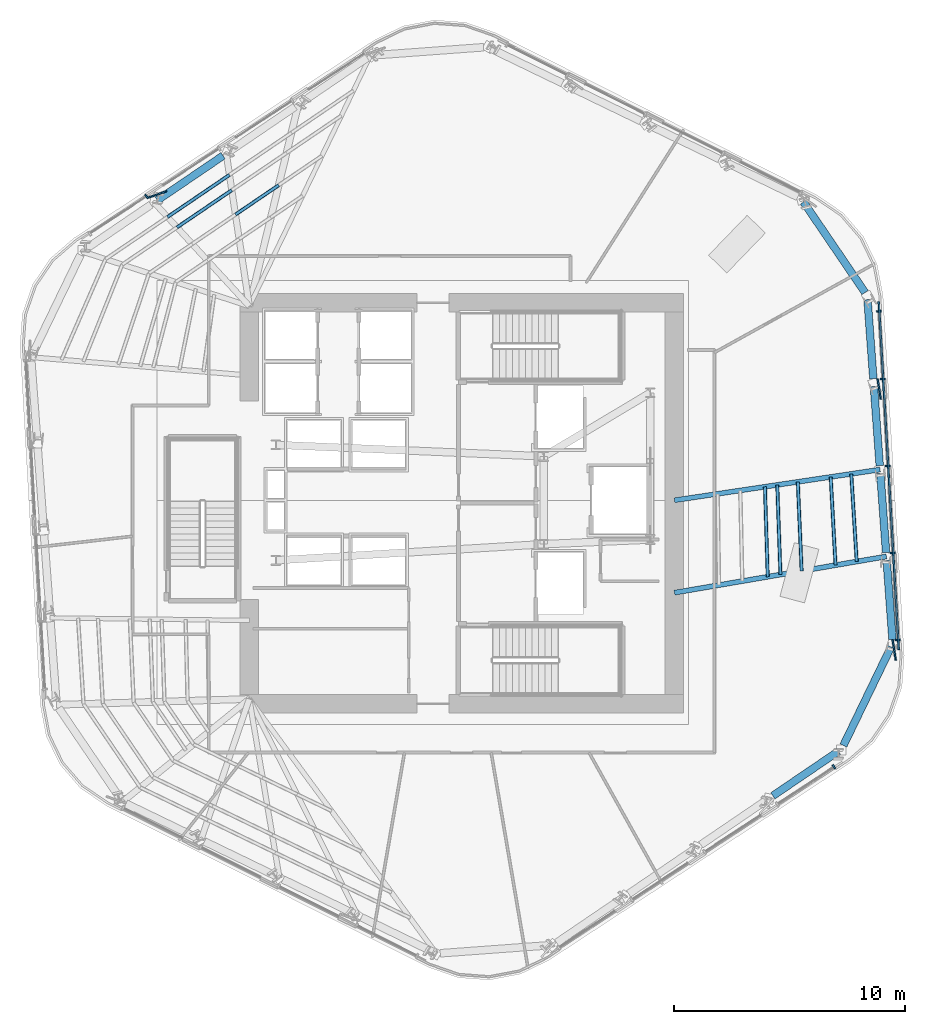
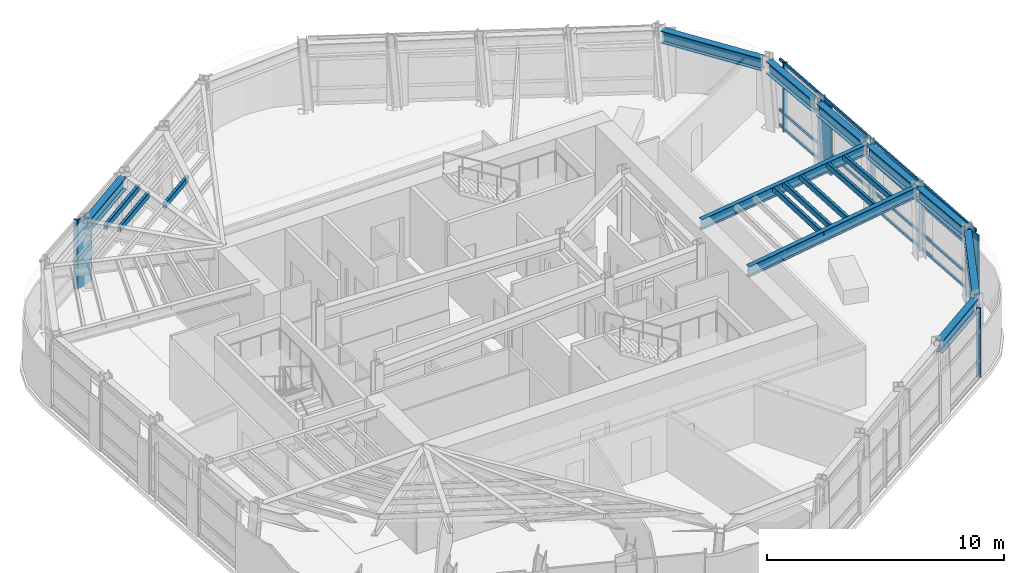
# One storey, part 5 of 15: 22 members, 10 beams, 3 elements without a shape of their own.
"""IFC4 building model written with IfcOpenShell, lengths in metres."""

from ifc_helpers import new_model, si_unit, direction, frame, origin, origin_2d, place, context, subcontext, project, spatial, rectangle, hollow_rectangle, i_section, extrude, material, layer, layer_set, material_profile, profile_set, type_object, element, aggregate, save


model = new_model("IFC4")

# Units and contexts
model_context = context("Model", 3, precision=1e-05, world=origin(), true_north=direction((0.0, 1.0)))
body_context = subcontext(model_context, "Body", "Model", "MODEL_VIEW")
ifc_project = project(units=[si_unit("LENGTHUNIT", "METRE"), si_unit("AREAUNIT", "SQUARE_METRE"), si_unit("VOLUMEUNIT", "CUBIC_METRE"), si_unit("PLANEANGLEUNIT", "RADIAN"), si_unit("MASSUNIT", "GRAM", prefix="KILO")], contexts=[model_context])

# Site, building, storey
site_placement = place(None, origin())
site = spatial("IfcSite", under=ifc_project, at=site_placement, CompositionType="ELEMENT")
building_placement = place(site_placement, origin())
building = spatial("IfcBuilding", under=site, at=building_placement, Name="Valkerne Bourse Tower", CompositionType="ELEMENT")
storey_placement = place(building_placement, frame((0.0, 0.0, 166.60009765625)))
storey = spatial("IfcBuildingStorey", under=building, at=storey_placement, Name="L42", CompositionType="ELEMENT", Elevation=166.60009765625)

# Beams
ifc_material_1 = material(Name="Steel ASTM A992", Category="steel")
ifc_material_profile_1 = material_profile(ifc_material_1, i_section(OverallWidth=0.209228515625, OverallDepth=0.533447265625, WebThickness=0.01025390625, FlangeThickness=0.015625, FilletRadius=0.017822265625, at=origin_2d()), Name="W21X62")
ifc_profile_set_1 = profile_set([ifc_material_profile_1], Name="Steel ASTM A992")
beam_type_1 = type_object("IfcBeamType", Name="BM-W21X62", PredefinedType="JOIST", material=ifc_profile_set_1)
beam_1_placement = place(storey_placement, frame((64.89453125, 28.328857421875, 3.313232421875), z_axis=(-0.989023001107, -0.147761643473, 0.0), x_axis=(0.147761643473, -0.989023001107, 0.0)))
element("IfcBeam", 1, at=beam_1_placement, inside=storey, type_object=beam_type_1, Name="L42 Radial Composite Floor Beam 27", PredefinedType="JOIST", context=body_context, shape_type="SweptSolid", body=[
    extrude(i_section(OverallWidth=0.209228515625, OverallDepth=0.533447265625, WebThickness=0.01025390625, FlangeThickness=0.015625, FilletRadius=0.017822265625, at=origin_2d()), origin(), (0.0, 0.0, 1.0), 8.9931640625),
])
ifc_material_profile_2 = material_profile(ifc_material_1, i_section(OverallWidth=0.2138671875, OverallDepth=0.548583984375, WebThickness=0.0146484375, FlangeThickness=0.023681640625, FilletRadius=0.017822265625, at=origin_2d()), Name="W21X93")
ifc_profile_set_2 = profile_set([ifc_material_profile_2], Name="Steel ASTM A992")
beam_type_2 = type_object("IfcBeamType", Name="BM-W21X93", PredefinedType="BEAM", material=ifc_profile_set_2)
beam_2_placement = place(storey_placement, frame((65.170654296875, 24.56787109375, 3.3056640625), z_axis=(-0.985698069595, -0.168520964857, 0.0), x_axis=(0.168520964857, -0.985698069595, 0.0)))
element("IfcBeam", 2, at=beam_2_placement, inside=storey, type_object=beam_type_2, Name="L42 Radial Composite Floor Beam 26", PredefinedType="BEAM", context=body_context, shape_type="SweptSolid", body=[
    extrude(i_section(OverallWidth=0.2138671875, OverallDepth=0.548583984375, WebThickness=0.0146484375, FlangeThickness=0.023681640625, FilletRadius=0.017822265625, at=origin_2d()), origin(), (0.0, 0.0, 1.0), 9.3037109375),
])
ifc_material_profile_3 = material_profile(ifc_material_1, i_section(OverallWidth=0.32763671875, OverallDepth=0.62744140625, WebThickness=0.0166015625, FlangeThickness=0.027587890625, FilletRadius=0.020263671875, at=origin_2d()), Name="W24X146")
ifc_profile_set_3 = profile_set([ifc_material_profile_3], Name="Steel ASTM A992")
beam_type_3 = type_object("IfcBeamType", Name="BM-W24X146", PredefinedType="SPANDREL", material=ifc_profile_set_3)
for number, where, z_axis, x_axis, name in (
    (3, (36.46142578125, 41.910400390625, 3.26611328125), (-0.827080000097, -0.562084222728, 0.0), (0.562084222728, -0.827080000097, 0.0), "L42 Hexagonal Spandrel Ring Beam 07"),
    (4, (60.257568359375, 14.209228515625, 3.26611328125), (0.827080000097, 0.562084222728, 0.0), (-0.562084222728, 0.827080000097, 0.0), "L42 Hexagonal Spandrel Ring Beam 23"),
):
    element("IfcBeam", number, at=place(storey_placement, frame(where, z_axis=z_axis, x_axis=x_axis)), inside=storey, type_object=beam_type_3, Name=name, PredefinedType="SPANDREL", context=body_context, shape_type="SweptSolid", body=[
        extrude(i_section(OverallWidth=0.32763671875, OverallDepth=0.62744140625, WebThickness=0.0166015625, FlangeThickness=0.027587890625, FilletRadius=0.020263671875, at=origin_2d()), origin(), (0.0, 0.0, 1.0), 3.430908203125),
    ])
beam_3_placement = place(storey_placement, frame((63.309814453125, 16.386474609375, 3.26611328125), z_axis=(0.435244512137, 0.900312287295, 0.0), x_axis=(-0.900312287295, 0.435244512137, 0.0)))
element("IfcBeam", 5, at=beam_3_placement, inside=storey, type_object=beam_type_3, Name="L42 Hexagonal Spandrel Ring Beam 24", PredefinedType="SPANDREL", context=body_context, shape_type="SweptSolid", body=[
    extrude(i_section(OverallWidth=0.32763671875, OverallDepth=0.62744140625, WebThickness=0.0166015625, FlangeThickness=0.027587890625, FilletRadius=0.020263671875, at=origin_2d()), origin(), (0.0, 0.0, 1.0), 4.73974609375),
])
for number, where, z_axis, x_axis, name in (
    (6, (65.434326171875, 20.9765625, 3.26611328125), (-0.07321903857, 0.997315883956, 0.0), (-0.997315883956, -0.07321903857, 0.0), "L42 Hexagonal Spandrel Ring Beam 25"),
    (7, (65.158203125, 24.7373046875, 3.26611328125), (-0.07321903857, 0.997315883956, 0.0), (-0.997315883956, -0.07321903857, 0.0), "L42 Hexagonal Spandrel Ring Beam 26"),
    (8, (64.882080078125, 28.498291015625, 3.26611328125), (-0.07321903857, 0.997315883956, 0.0), (-0.997315883956, -0.07321903857, 0.0), "L42 Hexagonal Spandrel Ring Beam 27"),
):
    element("IfcBeam", number, at=place(storey_placement, frame(where, z_axis=z_axis, x_axis=x_axis)), inside=storey, type_object=beam_type_3, Name=name, PredefinedType="SPANDREL", context=body_context, shape_type="SweptSolid", body=[
        extrude(i_section(OverallWidth=0.32763671875, OverallDepth=0.62744140625, WebThickness=0.0166015625, FlangeThickness=0.027587890625, FilletRadius=0.020263671875, at=origin_2d()), origin(), (0.0, 0.0, 1.0), 3.43115234375),
    ])
beam_4_placement = place(storey_placement, frame((64.605712890625, 32.25927734375, 3.26611328125), z_axis=(-0.073224234893, 0.997315502449, 0.0), x_axis=(-0.997315502449, -0.073224234893, 0.0)))
element("IfcBeam", 9, at=beam_4_placement, inside=storey, type_object=beam_type_3, Name="L42 Hexagonal Spandrel Ring Beam 28", PredefinedType="SPANDREL", context=body_context, shape_type="SweptSolid", body=[
    extrude(i_section(OverallWidth=0.32763671875, OverallDepth=0.62744140625, WebThickness=0.0166015625, FlangeThickness=0.027587890625, FilletRadius=0.020263671875, at=origin_2d()), origin(), (0.0, 0.0, 1.0), 3.430908203125),
])
beam_5_placement = place(storey_placement, frame((64.24658203125, 35.9912109375, 3.26611328125), z_axis=(-0.562083182981, 0.827080706709, 0.0), x_axis=(-0.827080706709, -0.562083182981, 0.0)))
element("IfcBeam", 10, at=beam_5_placement, inside=storey, type_object=beam_type_3, Name="L42 Hexagonal Spandrel Ring Beam 29", PredefinedType="SPANDREL", context=body_context, shape_type="SweptSolid", body=[
    extrude(i_section(OverallWidth=0.32763671875, OverallDepth=0.62744140625, WebThickness=0.0166015625, FlangeThickness=0.027587890625, FilletRadius=0.020263671875, at=origin_2d()), origin(), (0.0, 0.0, 1.0), 4.739990234375),
])

# Curtain wall, member
ifc_material_2 = material(Name="Aluminium AA 6063-T6", Category="aluminium")
ifc_layer = layer(ifc_material_2, 0.235107421875)
ifc_layer_set = layer_set([ifc_layer], Name="Aluminium AA 6063-T6")
curtain_wall_type = type_object("IfcCurtainWallType", Name="CW-03", PredefinedType="NOTDEFINED", material=ifc_layer_set)
curtain_wall_1_placement = place(storey_placement, origin())
curtain_wall_1 = element("IfcCurtainWall", 11, at=curtain_wall_1_placement, inside=storey, type_object=curtain_wall_type, Name="L42 Hexagonal Stick Curtain Wall Face 2", PredefinedType="NOTDEFINED")
ifc_material_profile_4 = material_profile(ifc_material_2, rectangle(XDim=0.074951171875, YDim=0.199951171875, at=origin_2d()), Name="CWM-75X200")
ifc_profile_set_4 = profile_set([ifc_material_profile_4], Name="Aluminium AA 6063-T6")
member_type_1 = type_object("IfcMemberType", Name="CW-MUL-220X75", PredefinedType="MULLION", material=ifc_profile_set_4)
member_1_placement = place(storey_placement, frame((33.1494140625, 40.1474609375, 0.0), z_axis=(0.0, 0.0, 1.0), x_axis=(-0.835800745182, -0.549032890048, 0.0)))
member_1 = element("IfcMember", 12, at=member_1_placement, type_object=member_type_1, Name="CW-L42-F2 Jamb Mullion 03A", PredefinedType="MULLION", context=body_context, shape_type="SweptSolid", body=[
    extrude(rectangle(XDim=0.074951171875, YDim=0.199951171875, at=origin_2d()), origin(), (0.0, 0.0, 1.0), 3.579833984375),
])
aggregate(curtain_wall_1, [member_1])

curtain_wall_2_placement = place(storey_placement, origin())
curtain_wall_2 = element("IfcCurtainWall", 13, at=curtain_wall_2_placement, inside=storey, type_object=curtain_wall_type, Name="L42 Hexagonal Stick Curtain Wall Face 5", PredefinedType="NOTDEFINED")
member_2_placement = place(storey_placement, frame((62.900390625, 15.461669921875, 0.0), z_axis=(0.0, 0.0, 1.0), x_axis=(0.835800745182, 0.549032890048, 0.0)))
member_2 = element("IfcMember", 14, at=member_2_placement, type_object=member_type_1, Name="CW-L42-F5 Jamb Mullion 03B", PredefinedType="MULLION", context=body_context, shape_type="SweptSolid", body=[
    extrude(rectangle(XDim=0.074951171875, YDim=0.199951171875, at=origin_2d()), origin(), (0.0, 0.0, 1.0), 3.579833984375),
])
aggregate(curtain_wall_2, [member_2])

# Curtain wall, members
curtain_wall_3_placement = place(storey_placement, origin())
curtain_wall_3 = element("IfcCurtainWall", 15, at=curtain_wall_3_placement, inside=storey, type_object=curtain_wall_type, Name="L42 Hexagonal Stick Curtain Wall Face 6", PredefinedType="NOTDEFINED")
member_3_placement = place(storey_placement, frame((65.66259765625, 20.953857421875, 0.0), z_axis=(0.0, 0.0, 1.0), x_axis=(-0.057570105269, 0.998341466122, 0.0)))
member_3 = element("IfcMember", 16, at=member_3_placement, type_object=member_type_1, Name="CW-L42-F6 Jamb Mullion 00A", PredefinedType="MULLION", context=body_context, shape_type="SweptSolid", body=[
    extrude(rectangle(XDim=0.074951171875, YDim=0.199951171875, at=origin_2d()), origin(), (0.0, 0.0, 1.0), 3.579833984375),
])
member_4_placement = place(storey_placement, frame((65.445556640625, 24.718505859375, 0.0), z_axis=(0.0, 0.0, 1.0), x_axis=(-0.057571629412, 0.99834137823, 0.0)))
member_4 = element("IfcMember", 17, at=member_4_placement, type_object=member_type_1, Name="CW-L42-F6 Jamb Mullion 01A", PredefinedType="MULLION", context=body_context, shape_type="SweptSolid", body=[
    extrude(rectangle(XDim=0.074951171875, YDim=0.199951171875, at=origin_2d()), origin(), (0.0, 0.0, 1.0), 3.579833984375),
])
member_5_placement = place(storey_placement, frame((65.228515625, 28.4833984375, 0.0), z_axis=(0.0, 0.0, 1.0), x_axis=(-0.057545198752, 0.998342902063, 0.0)))
member_5 = element("IfcMember", 18, at=member_5_placement, type_object=member_type_1, Name="CW-L42-F6 Jamb Mullion 02A", PredefinedType="MULLION", context=body_context, shape_type="SweptSolid", body=[
    extrude(rectangle(XDim=0.074951171875, YDim=0.199951171875, at=origin_2d()), origin(), (0.0, 0.0, 1.0), 3.579833984375),
])
member_6_placement = place(storey_placement, frame((65.011474609375, 32.248046875, 0.0), z_axis=(0.0, 0.0, 1.0), x_axis=(-0.057570105269, 0.998341466122, 0.0)))
member_6 = element("IfcMember", 19, at=member_6_placement, type_object=member_type_1, Name="CW-L42-F6 Jamb Mullion 03A", PredefinedType="MULLION", context=body_context, shape_type="SweptSolid", body=[
    extrude(rectangle(XDim=0.074951171875, YDim=0.199951171875, at=origin_2d()), origin(), (0.0, 0.0, 1.0), 3.579833984375),
])
member_7_placement = place(storey_placement, frame((64.842529296875, 35.17431640625, 0.0), z_axis=(0.0, 0.0, 1.0), x_axis=(-0.057570105269, 0.998341466122, 0.0)))
member_7 = element("IfcMember", 20, at=member_7_placement, type_object=member_type_1, Name="CW-L42-F6 Jamb Mullion 03B", PredefinedType="MULLION", context=body_context, shape_type="SweptSolid", body=[
    extrude(rectangle(XDim=0.074951171875, YDim=0.199951171875, at=origin_2d()), origin(), (0.0, 0.0, 1.0), 3.579833984375),
])
ifc_material_profile_5 = material_profile(ifc_material_2, rectangle(XDim=0.074951171875, YDim=0.14990234375, at=origin_2d()), Name="CWT-75X150")
ifc_profile_set_5 = profile_set([ifc_material_profile_5], Name="Aluminium AA 6063-T6")
member_type_2 = type_object("IfcMemberType", Name="CW-TRN-180X65", PredefinedType="USERDEFINED", material=ifc_profile_set_5)
member_8_placement = place(storey_placement, frame((65.706787109375, 20.53564453125, 0.119873046875), z_axis=(-0.057572027055, 0.998341355299, 0.0), x_axis=(-0.998341355299, -0.057572027055, 0.0)))
member_8 = element("IfcMember", 21, at=member_8_placement, type_object=member_type_2, Name="CW-L42-F6 Continuous Face Transom 1", ObjectType="TRANSOM", PredefinedType="USERDEFINED", context=body_context, shape_type="SweptSolid", body=[
    extrude(rectangle(XDim=0.074951171875, YDim=0.14990234375, at=origin_2d()), origin(), (0.0, 0.0, 1.0), 15.083740234375),
])
member_9_placement = place(storey_placement, frame((65.706787109375, 20.53564453125, 0.89990234375), z_axis=(-0.057572027055, 0.998341355299, 0.0), x_axis=(-0.998341355299, -0.057572027055, 0.0)))
member_9 = element("IfcMember", 22, at=member_9_placement, type_object=member_type_2, Name="CW-L42-F6 Continuous Face Transom 2", ObjectType="TRANSOM", PredefinedType="USERDEFINED", context=body_context, shape_type="SweptSolid", body=[
    extrude(rectangle(XDim=0.074951171875, YDim=0.14990234375, at=origin_2d()), origin(), (0.0, 0.0, 1.0), 15.083740234375),
])
member_10_placement = place(storey_placement, frame((65.706787109375, 20.53564453125, 2.39990234375), z_axis=(-0.057572027055, 0.998341355299, 0.0), x_axis=(-0.998341355299, -0.057572027055, 0.0)))
member_10 = element("IfcMember", 23, at=member_10_placement, type_object=member_type_2, Name="CW-L42-F6 Continuous Face Transom 3", ObjectType="TRANSOM", PredefinedType="USERDEFINED", context=body_context, shape_type="SweptSolid", body=[
    extrude(rectangle(XDim=0.074951171875, YDim=0.14990234375, at=origin_2d()), origin(), (0.0, 0.0, 1.0), 15.083740234375),
])
member_11_placement = place(storey_placement, frame((65.706787109375, 20.53564453125, 3.5), z_axis=(-0.057572027055, 0.998341355299, 0.0), x_axis=(-0.998341355299, -0.057572027055, 0.0)))
member_11 = element("IfcMember", 24, at=member_11_placement, type_object=member_type_2, Name="CW-L42-F6 Continuous Face Transom 4", ObjectType="TRANSOM", PredefinedType="USERDEFINED", context=body_context, shape_type="SweptSolid", body=[
    extrude(rectangle(XDim=0.074951171875, YDim=0.14990234375, at=origin_2d()), origin(), (0.0, 0.0, 1.0), 15.083740234375),
])
aggregate(curtain_wall_3, [member_8, member_9, member_10, member_11, member_3, member_4, member_5, member_6, member_7])

# Members
ifc_material_3 = material(Name="Bronze Anodised Aluminium AA 6063-T6", Category="aluminium")
ifc_material_profile_6 = material_profile(ifc_material_3, rectangle(XDim=0.070068359375, YDim=0.89990234375, at=origin_2d()), Name="FIN-70X900")
ifc_profile_set_6 = profile_set([ifc_material_profile_6], Name="Bronze Anodised Aluminium AA 6063-T6")
member_type_3 = type_object("IfcMemberType", Name="FIN-SOLAR-900", PredefinedType="USERDEFINED", material=ifc_profile_set_6)
for number, where, z_axis, x_axis, name in (
    (25, (33.599365234375, 40.2275390625, 0.00390625), (0.0, 0.0, 1.0), (-0.331918393449, 0.94330810454, 0.0), "L42 Bronze Anodised Solar Fin F2-03"),
    (26, (65.507080078125, 20.524169921875, 0.00390625), (0.0, 0.0, 1.0), (0.987885388891, 0.155185239037, 0.0), "L42 Bronze Anodised Solar Fin F6-00"),
    (27, (64.855712890625, 31.818359375, 0.00390625), (0.0, 0.0, 1.0), (0.987885388891, 0.155185239037, 0.0), "L42 Bronze Anodised Solar Fin F6-03"),
):
    element("IfcMember", number, at=place(storey_placement, frame(where, z_axis=z_axis, x_axis=x_axis)), inside=storey, type_object=member_type_3, Name=name, ObjectType="SOLAR_FIN", PredefinedType="USERDEFINED", context=body_context, shape_type="SweptSolid", body=[
        extrude(rectangle(XDim=0.070068359375, YDim=0.89990234375, at=origin_2d()), origin(), (0.0, 0.0, 1.0), 3.572021484375),
    ])
ifc_material_4 = material(Name="Steel ASTM A500 Grade C", Category="steel")
ifc_material_profile_7 = material_profile(ifc_material_4, hollow_rectangle(XDim=0.14990234375, YDim=0.300048828125, WallThickness=0.012451171875, OuterFilletRadius=0.02490234375, at=origin_2d()), Name="HSS300X150X12.5")
ifc_profile_set_7 = profile_set([ifc_material_profile_7], Name="Steel ASTM A500 Grade C")
member_type_4 = type_object("IfcMemberType", Name="MBR-HSS300X150X12.5", PredefinedType="PURLIN", material=ifc_profile_set_7)
member_12_placement = place(storey_placement, frame((60.03515625, 23.68994140625, 3.419921875), z_axis=(-0.031201500101, 0.999513114667, 0.0), x_axis=(-0.999513114667, -0.031201500101, 0.0)))
element("IfcMember", 28, at=member_12_placement, inside=storey, type_object=member_type_4, Name="L42 Secondary Composite Floor Purlin K-26", PredefinedType="PURLIN", context=body_context, shape_type="SweptSolid", body=[
    extrude(hollow_rectangle(XDim=0.14990234375, YDim=0.300048828125, WallThickness=0.012451171875, OuterFilletRadius=0.02490234375, at=origin_2d()), origin(), (0.0, 0.0, 1.0), 3.896728515625),
])
member_13_placement = place(storey_placement, frame((60.585205078125, 23.783935546875, 3.419921875), z_axis=(-0.035525566492, 0.999368767836, 0.0), x_axis=(-0.999368767836, -0.035525566492, 0.0)))
element("IfcMember", 29, at=member_13_placement, inside=storey, type_object=member_type_4, Name="L42 Secondary Composite Floor Purlin M-26", PredefinedType="PURLIN", context=body_context, shape_type="SweptSolid", body=[
    extrude(hollow_rectangle(XDim=0.14990234375, YDim=0.300048828125, WallThickness=0.012451171875, OuterFilletRadius=0.02490234375, at=origin_2d()), origin(), (0.0, 0.0, 1.0), 3.8828125),
])
member_14_placement = place(storey_placement, frame((36.841552734375, 40.42041015625, 3.419921875), z_axis=(-0.827089666449, -0.562069998891, 0.0), x_axis=(0.562069998891, -0.827089666449, 0.0)))
element("IfcMember", 30, at=member_14_placement, inside=storey, type_object=member_type_4, Name="L42 Secondary Composite Floor Purlin O-07", PredefinedType="PURLIN", context=body_context, shape_type="SweptSolid", body=[
    extrude(hollow_rectangle(XDim=0.14990234375, YDim=0.300048828125, WallThickness=0.012451171875, OuterFilletRadius=0.02490234375, at=origin_2d()), origin(), (0.0, 0.0, 1.0), 2.865966796875),
])
member_15_placement = place(storey_placement, frame((62.9697265625, 24.191650390625, 3.419921875), z_axis=(-0.054904270826, 0.998491622922, 0.0), x_axis=(-0.998491622922, -0.054904270826, 0.0)))
element("IfcMember", 31, at=member_15_placement, inside=storey, type_object=member_type_4, Name="L42 Secondary Composite Floor Purlin O-26", PredefinedType="PURLIN", context=body_context, shape_type="SweptSolid", body=[
    extrude(hollow_rectangle(XDim=0.14990234375, YDim=0.300048828125, WallThickness=0.012451171875, OuterFilletRadius=0.02490234375, at=origin_2d()), origin(), (0.0, 0.0, 1.0), 3.82421875),
])
member_16_placement = place(storey_placement, frame((38.87255859375, 40.63525390625, 3.419921875), z_axis=(-0.827087026291, -0.562073883881, 0.0), x_axis=(0.562073883881, -0.827087026291, 0.0)))
element("IfcMember", 32, at=member_16_placement, inside=storey, type_object=member_type_4, Name="L42 Secondary Composite Floor Purlin Z-06", PredefinedType="PURLIN", context=body_context, shape_type="SweptSolid", body=[
    extrude(hollow_rectangle(XDim=0.14990234375, YDim=0.300048828125, WallThickness=0.012451171875, OuterFilletRadius=0.02490234375, at=origin_2d()), origin(), (0.0, 0.0, 1.0), 2.262451171875),
])
member_17_placement = place(storey_placement, frame((61.50244140625, 23.940673828125, 3.419921875), z_axis=(-0.042943193839, 0.999077515563, 0.0), x_axis=(-0.999077515563, -0.042943193839, 0.0)))
element("IfcMember", 33, at=member_17_placement, inside=storey, type_object=member_type_4, Name="L42 Secondary Composite Floor Purlin Z-26", PredefinedType="PURLIN", context=body_context, shape_type="SweptSolid", body=[
    extrude(hollow_rectangle(XDim=0.14990234375, YDim=0.300048828125, WallThickness=0.012451171875, OuterFilletRadius=0.02490234375, at=origin_2d()), origin(), (0.0, 0.0, 1.0), 3.8603515625),
])
member_18_placement = place(storey_placement, frame((36.74169921875, 41.0810546875, 3.419921875), z_axis=(-0.827083300363, -0.562079366513, 0.0), x_axis=(0.562079366513, -0.827083300363, 0.0)))
element("IfcMember", 34, at=member_18_placement, inside=storey, type_object=member_type_4, Name="L42 Secondary Composite Floor Purlin T-07", PredefinedType="PURLIN", context=body_context, shape_type="SweptSolid", body=[
    extrude(hollow_rectangle(XDim=0.14990234375, YDim=0.300048828125, WallThickness=0.012451171875, OuterFilletRadius=0.02490234375, at=origin_2d()), origin(), (0.0, 0.0, 1.0), 3.242919921875),
])
member_19_placement = place(storey_placement, frame((63.88671875, 24.348388671875, 3.419921875), z_axis=(-0.062418265138, 0.998050078993, 0.0), x_axis=(-0.998050078993, -0.062418265138, 0.0)))
element("IfcMember", 35, at=member_19_placement, inside=storey, type_object=member_type_4, Name="L42 Secondary Composite Floor Purlin T-26", PredefinedType="PURLIN", context=body_context, shape_type="SweptSolid", body=[
    extrude(hollow_rectangle(XDim=0.14990234375, YDim=0.300048828125, WallThickness=0.012451171875, OuterFilletRadius=0.02490234375, at=origin_2d()), origin(), (0.0, 0.0, 1.0), 3.8017578125),
])

save(model, "model.ifc")
